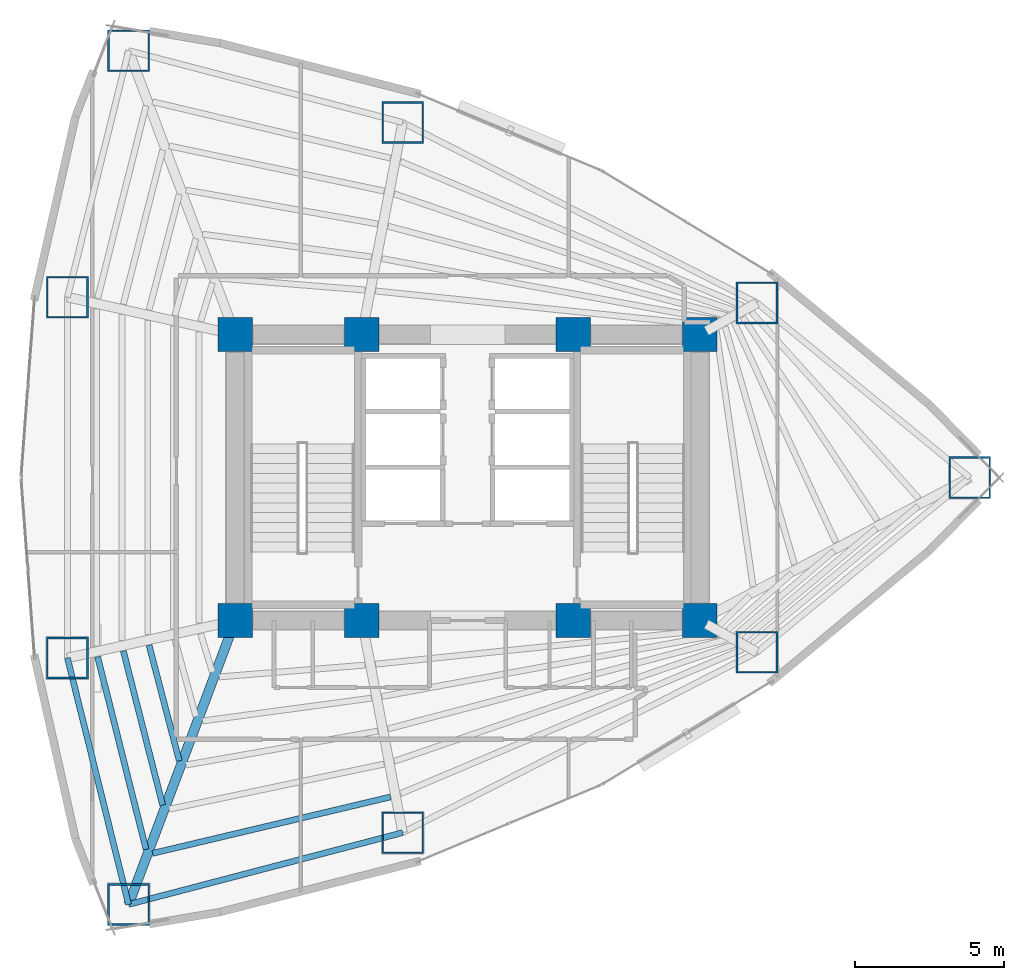
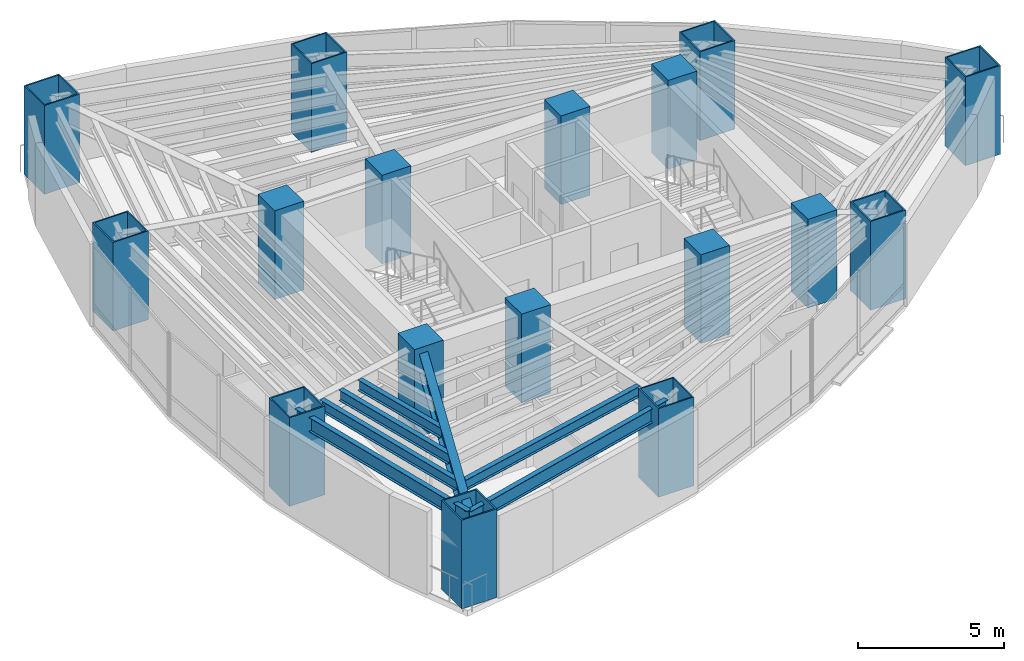
# One storey, part 1 of 17: 17 columns, 7 beams.
"""IFC4 building model written with IfcOpenShell, lengths in metres."""

from ifc_helpers import new_model, si_unit, direction, frame, origin, origin_2d, place, context, subcontext, project, spatial, rectangle, hollow_rectangle, i_section, extrude, material, material_profile, profile_set, type_object, element, save


model = new_model("IFC4")

# Units and contexts
model_context = context("Model", 3, precision=1e-05, world=origin(), true_north=direction((0.0, 1.0)))
body_context = subcontext(model_context, "Body", "Model", "MODEL_VIEW")
ifc_project = project(units=[si_unit("LENGTHUNIT", "METRE"), si_unit("AREAUNIT", "SQUARE_METRE"), si_unit("VOLUMEUNIT", "CUBIC_METRE"), si_unit("PLANEANGLEUNIT", "RADIAN"), si_unit("MASSUNIT", "GRAM", prefix="KILO")], contexts=[model_context])

# Site, building, storey
site_placement = place(None, origin())
site = spatial("IfcSite", under=ifc_project, at=site_placement, CompositionType="ELEMENT")
building_placement = place(site_placement, origin())
building = spatial("IfcBuilding", under=site, at=building_placement, Name="Menara Vayukalpa", CompositionType="ELEMENT")
storey_placement = place(building_placement, frame((0.0, 0.0, 49.919921875)))
storey = spatial("IfcBuildingStorey", under=building, at=storey_placement, Name="L11", CompositionType="ELEMENT", Elevation=49.919921875)

# Columns
ifc_material_1 = material(Name="Concrete C80/95", Category="concrete")
ifc_material_profile_1 = material_profile(ifc_material_1, rectangle(XDim=1.14990234375, YDim=1.14990234375, at=origin_2d()), Name="RC 1150x1150")
ifc_profile_set_1 = profile_set([ifc_material_profile_1], Name="Concrete C80/95")
column_type_1 = type_object("IfcColumnType", Name="COL-CC1", PredefinedType="COLUMN", material=ifc_profile_set_1)
for number, where, z_axis, x_axis, name in (
    (1, (17.800048828125, 17.199951171875, 0.0), (0.0, 0.0, 1.0), (1.0, 0.0, 0.0), "L11 Core Pilaster Column CC1"),
    (2, (22.050048828125, 17.199951171875, 0.0), (0.0, 0.0, 1.0), (1.0, 0.0, 0.0), "L11 Core Pilaster Column CC2"),
    (3, (29.14990234375, 17.199951171875, 0.0), (0.0, 0.0, 1.0), (1.0, 0.0, 0.0), "L11 Core Pilaster Column CC3"),
    (4, (33.39990234375, 17.199951171875, 0.0), (0.0, 0.0, 1.0), (1.0, 0.0, 0.0), "L11 Core Pilaster Column CC4"),
    (5, (17.800048828125, 26.800048828125, 0.0), (0.0, 0.0, 1.0), (1.0, 0.0, 0.0), "L11 Core Pilaster Column CC5"),
    (6, (22.050048828125, 26.800048828125, 0.0), (0.0, 0.0, 1.0), (1.0, 0.0, 0.0), "L11 Core Pilaster Column CC6"),
    (7, (29.14990234375, 26.800048828125, 0.0), (0.0, 0.0, 1.0), (1.0, 0.0, 0.0), "L11 Core Pilaster Column CC7"),
    (8, (33.39990234375, 26.800048828125, 0.0), (0.0, 0.0, 1.0), (1.0, 0.0, 0.0), "L11 Core Pilaster Column CC8"),
):
    element("IfcColumn", number, at=place(storey_placement, frame(where, z_axis=z_axis, x_axis=x_axis)), inside=storey, type_object=column_type_1, Name=name, PredefinedType="COLUMN", context=body_context, shape_type="SweptSolid", body=[
        extrude(rectangle(XDim=1.14990234375, YDim=1.14990234375, at=origin_2d()), origin(), (0.0, 0.0, 1.0), 3.719970703125),
    ])
ifc_material_2 = material(Name="Steel S460", Category="steel")
ifc_material_profile_2 = material_profile(ifc_material_2, hollow_rectangle(XDim=1.39990234375, YDim=1.39990234375, WallThickness=0.054931640625, at=origin_2d()), Name="BOX 1400x1400x55")
ifc_profile_set_2 = profile_set([ifc_material_profile_2], Name="Steel S460")
column_type_2 = type_object("IfcColumnType", Name="COL-MC1", PredefinedType="COLUMN", material=ifc_profile_set_2)
for number, where, z_axis, x_axis, name in (
    (9, (42.46484375, 22.0, 0.0), (0.0, 0.0, 1.0), (1.0, 0.0, 0.0), "L11 Perimeter Mega Column P01"),
    (10, (35.318115234375, 27.86328125, 0.0), (0.0, 0.0, 1.0), (1.0, 0.0, 0.0), "L11 Perimeter Mega Column P02"),
    (11, (23.41943359375, 33.9228515625, 0.0), (0.0, 0.0, 1.0), (1.0, 0.0, 0.0), "L11 Perimeter Mega Column P03"),
    (12, (14.217529296875, 36.33447265625, 0.0), (0.0, 0.0, 1.0), (1.0, 0.0, 0.0), "L11 Perimeter Mega Column P04"),
    (13, (12.164306640625, 28.0595703125, 0.0), (0.0, 0.0, 1.0), (1.0, 0.0, 0.0), "L11 Perimeter Mega Column P05"),
    (14, (12.164306640625, 15.9404296875, 0.0), (0.0, 0.0, 1.0), (1.0, 0.0, 0.0), "L11 Perimeter Mega Column P06"),
    (15, (14.217529296875, 7.66552734375, 0.0), (0.0, 0.0, 1.0), (1.0, 0.0, 0.0), "L11 Perimeter Mega Column P07"),
    (16, (23.41943359375, 10.0771484375, 0.0), (0.0, 0.0, 1.0), (1.0, 0.0, 0.0), "L11 Perimeter Mega Column P08"),
    (17, (35.318115234375, 16.13671875, 0.0), (0.0, 0.0, 1.0), (1.0, 0.0, 0.0), "L11 Perimeter Mega Column P09"),
):
    element("IfcColumn", number, at=place(storey_placement, frame(where, z_axis=z_axis, x_axis=x_axis)), inside=storey, type_object=column_type_2, Name=name, PredefinedType="COLUMN", context=body_context, shape_type="SweptSolid", body=[
        extrude(hollow_rectangle(XDim=1.39990234375, YDim=1.39990234375, WallThickness=0.054931640625, at=origin_2d()), origin(), (0.0, 0.0, 1.0), 3.719970703125),
    ])

# Beams
ifc_material_3 = material(Name="Steel S355", Category="steel")
ifc_material_profile_3 = material_profile(ifc_material_3, i_section(OverallWidth=0.320068359375, OverallDepth=0.85009765625, WebThickness=0.01611328125, FlangeThickness=0.030029296875, at=origin_2d()), Name="WF 850x320x16x30")
ifc_profile_set_3 = profile_set([ifc_material_profile_3], Name="Steel S355")
beam_type_1 = type_object("IfcBeamType", Name="BM-PG2", PredefinedType="BEAM", material=ifc_profile_set_3)
beam_1_placement = place(storey_placement, frame((17.712158203125, 16.966064453125, 3.045166015625), z_axis=(-0.351734656537, -0.93609974436, 0.0), x_axis=(0.93609974436, -0.351734656537, 0.0)))
element("IfcBeam", 18, at=beam_1_placement, inside=storey, type_object=beam_type_1, Name="L11 Primary Radial Girder RG07", PredefinedType="BEAM", context=body_context, shape_type="SweptSolid", body=[
    extrude(i_section(OverallWidth=0.320068359375, OverallDepth=0.85009765625, WebThickness=0.01611328125, FlangeThickness=0.030029296875, at=origin_2d()), origin(), (0.0, 0.0, 1.0), 9.935302734375),
])
ifc_material_4 = material(Name="Steel S355", Category="steel")
ifc_material_profile_4 = material_profile(ifc_material_4, i_section(OverallWidth=0.199951171875, OverallDepth=0.449951171875, WebThickness=0.009033203125, FlangeThickness=0.013916015625, at=origin_2d()), Name="WF 450x200x9x14")
ifc_profile_set_4 = profile_set([ifc_material_profile_4], Name="Steel S355")
beam_type_2 = type_object("IfcBeamType", Name="BM-SJ1", PredefinedType="JOIST", material=ifc_profile_set_4)
beam_2_placement = place(storey_placement, frame((14.905517578125, 16.368896484375, 3.2451171875), z_axis=(0.25283833468, -0.967508540798, 0.0), x_axis=(0.967508540798, 0.25283833468, 0.0)))
element("IfcBeam", 19, at=beam_2_placement, inside=storey, type_object=beam_type_2, Name="L11 Secondary Floor Joist SJ06-3", PredefinedType="JOIST", context=body_context, shape_type="SweptSolid", body=[
    extrude(i_section(OverallWidth=0.199951171875, OverallDepth=0.449951171875, WebThickness=0.009033203125, FlangeThickness=0.013916015625, at=origin_2d()), origin(), (0.0, 0.0, 1.0), 4.00927734375),
])
beam_3_placement = place(storey_placement, frame((14.0419921875, 16.17578125, 3.2451171875), z_axis=(0.247105572938, -0.968988563309, 0.0), x_axis=(0.968988563309, 0.247105572938, 0.0)))
element("IfcBeam", 20, at=beam_3_placement, inside=storey, type_object=beam_type_2, Name="L11 Secondary Floor Joist SJ06-4", PredefinedType="JOIST", context=body_context, shape_type="SweptSolid", body=[
    extrude(i_section(OverallWidth=0.199951171875, OverallDepth=0.449951171875, WebThickness=0.009033203125, FlangeThickness=0.013916015625, at=origin_2d()), origin(), (0.0, 0.0, 1.0), 5.339111328125),
])
beam_4_placement = place(storey_placement, frame((13.1787109375, 15.982666015625, 3.2451171875), z_axis=(0.243517460774, -0.96989651319, 0.0), x_axis=(0.96989651319, 0.243517460774, 0.0)))
element("IfcBeam", 21, at=beam_4_placement, inside=storey, type_object=beam_type_2, Name="L11 Secondary Floor Joist SJ06-5", PredefinedType="JOIST", context=body_context, shape_type="SweptSolid", body=[
    extrude(i_section(OverallWidth=0.199951171875, OverallDepth=0.449951171875, WebThickness=0.009033203125, FlangeThickness=0.013916015625, at=origin_2d()), origin(), (0.0, 0.0, 1.0), 6.6689453125),
])
beam_5_placement = place(storey_placement, frame((15.021728515625, 9.381103515625, 3.2451171875), z_axis=(0.97303971213, 0.23063763487, 0.0), x_axis=(-0.23063763487, 0.97303971213, 0.0)))
element("IfcBeam", 22, at=beam_5_placement, inside=storey, type_object=beam_type_2, Name="L11 Secondary Floor Joist SJ07-5", PredefinedType="JOIST", context=body_context, shape_type="SweptSolid", body=[
    extrude(i_section(OverallWidth=0.199951171875, OverallDepth=0.449951171875, WebThickness=0.009033203125, FlangeThickness=0.013916015625, at=origin_2d()), origin(), (0.0, 0.0, 1.0), 8.205810546875),
])
ifc_material_5 = material(Name="Steel S355", Category="steel")
ifc_material_profile_5 = material_profile(ifc_material_5, i_section(OverallWidth=0.199951171875, OverallDepth=0.60009765625, WebThickness=0.010986328125, FlangeThickness=0.01708984375, at=origin_2d()), Name="WF 600x200x11x17")
ifc_profile_set_5 = profile_set([ifc_material_profile_5], Name="Steel S355")
beam_type_3 = type_object("IfcBeamType", Name="BM-SP1", PredefinedType="SPANDREL", material=ifc_profile_set_5)
beam_6_placement = place(storey_placement, frame((12.164306640625, 15.9404296875, 3.170166015625), z_axis=(0.240823860364, -0.970568837476, 0.0), x_axis=(0.970568837476, 0.240823860364, 0.0)))
element("IfcBeam", 23, at=beam_6_placement, inside=storey, type_object=beam_type_3, Name="L11 Perimeter Spandrel Beam SP06", PredefinedType="SPANDREL", context=body_context, shape_type="SweptSolid", body=[
    extrude(i_section(OverallWidth=0.199951171875, OverallDepth=0.60009765625, WebThickness=0.010986328125, FlangeThickness=0.01708984375, at=origin_2d()), origin(), (0.0, 0.0, 1.0), 8.52587890625),
])
beam_7_placement = place(storey_placement, frame((14.217529296875, 7.66552734375, 3.170166015625), z_axis=(0.967331024421, 0.253516644802, 0.0), x_axis=(-0.253516644802, 0.967331024421, 0.0)))
element("IfcBeam", 24, at=beam_7_placement, inside=storey, type_object=beam_type_3, Name="L11 Perimeter Spandrel Beam SP07", PredefinedType="SPANDREL", context=body_context, shape_type="SweptSolid", body=[
    extrude(i_section(OverallWidth=0.199951171875, OverallDepth=0.60009765625, WebThickness=0.010986328125, FlangeThickness=0.01708984375, at=origin_2d()), origin(), (0.0, 0.0, 1.0), 9.5126953125),
])

save(model, "model.ifc")
